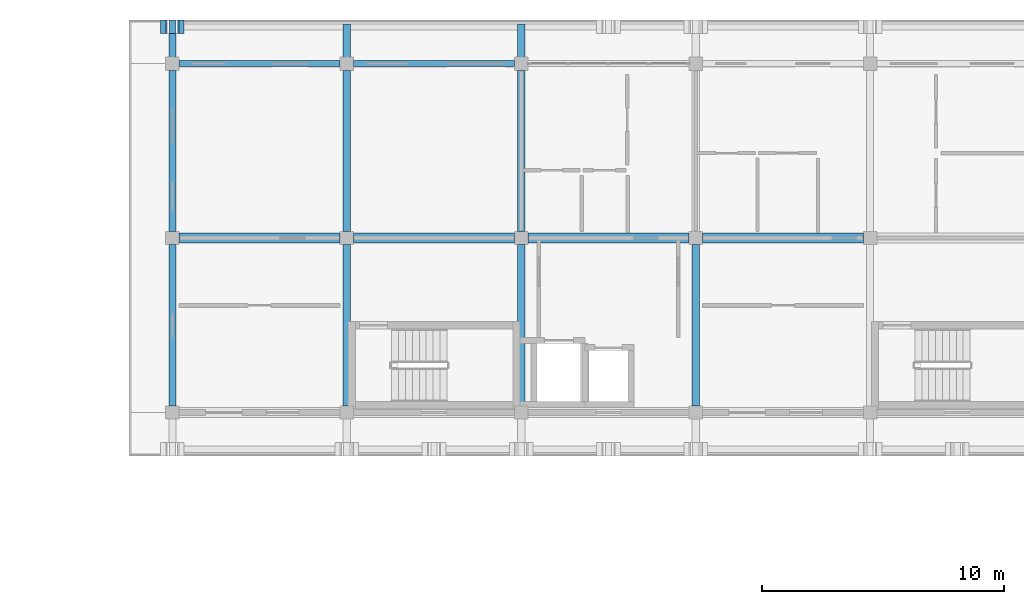
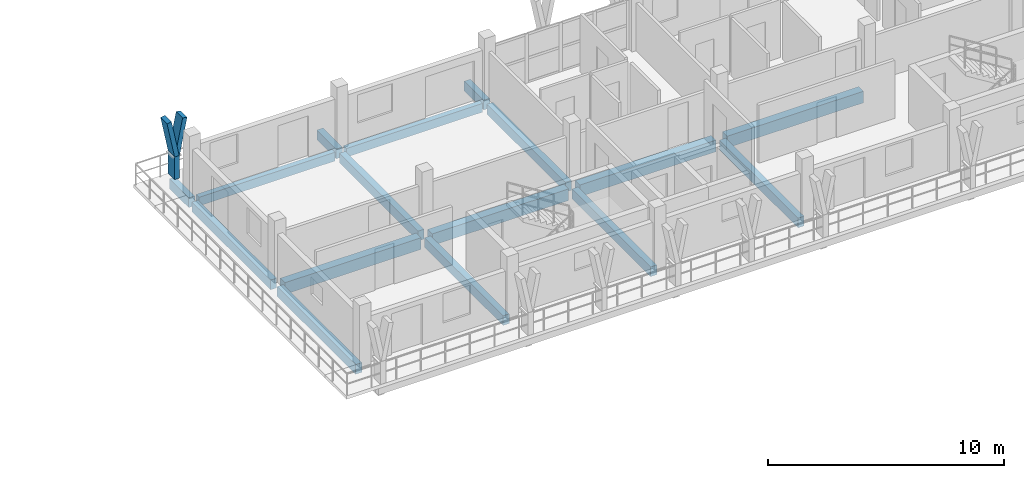
# One storey, part 24 of 67: 16 beams, 3 members.
"""IFC4 building model written with IfcOpenShell, lengths in metres."""

from ifc_helpers import new_model, si_unit, direction, frame, origin, origin_2d, place, context, subcontext, project, spatial, rectangle, extrude, material, material_profile, profile_set, type_object, element, save


model = new_model("IFC4")

# Units and contexts
model_context = context("Model", 3, precision=1e-05, world=origin(), true_north=direction((0.0, 1.0)))
body_context = subcontext(model_context, "Body", "Model", "MODEL_VIEW")
ifc_project = project(units=[si_unit("LENGTHUNIT", "METRE"), si_unit("AREAUNIT", "SQUARE_METRE"), si_unit("VOLUMEUNIT", "CUBIC_METRE"), si_unit("PLANEANGLEUNIT", "RADIAN"), si_unit("MASSUNIT", "GRAM", prefix="KILO")], contexts=[model_context])

# Site, building, storey
site_placement = place(None, origin())
site = spatial("IfcSite", under=ifc_project, at=site_placement, CompositionType="ELEMENT")
building_placement = place(site_placement, origin())
building = spatial("IfcBuilding", under=site, at=building_placement, Name="Suanplinth Sawtooth Commons", CompositionType="ELEMENT")
storey_placement = place(building_placement, frame((0.0, 0.0, 25.10009765625)))
storey = spatial("IfcBuildingStorey", under=building, at=storey_placement, Name="L07", CompositionType="ELEMENT", Elevation=25.10009765625)

# Beams
ifc_material_1 = material(Name="Precast concrete C40/50", Category="concrete")
ifc_material_profile_1 = material_profile(ifc_material_1, rectangle(XDim=0.39990234375, YDim=0.60009765625, at=origin_2d()), Name="PC-GDR 400x600")
ifc_profile_set_1 = profile_set([ifc_material_profile_1], Name="Precast concrete C40/50")
beam_type_1 = type_object("IfcBeamType", Name="B-05", PredefinedType="USERDEFINED", material=ifc_profile_set_1)
beam_1_placement = place(storey_placement, frame((129.875, 115.199951171875, -0.52001953125), z_axis=(1.0, 0.0, 0.0), x_axis=(0.0, 1.0, 0.0)))
element("IfcBeam", 1, at=beam_1_placement, inside=storey, type_object=beam_type_1, Name="BMX-L07-B-18-16", ObjectType="GIRDER", PredefinedType="USERDEFINED", context=body_context, shape_type="SweptSolid", body=[
    extrude(rectangle(XDim=0.39990234375, YDim=0.60009765625, at=origin_2d()), origin(), (0.0, 0.0, 1.0), 6.64990234375),
])
for number, where, z_axis, x_axis, name in (
    (2, (137.074951171875, 115.199951171875, -0.52001953125), (1.0, 0.0, 0.0), (0.0, 1.0, 0.0), "BMX-L07-B-19-16"),
    (3, (144.27490234375, 115.199951171875, -0.52001953125), (1.0, 0.0, 0.0), (0.0, 1.0, 0.0), "BMX-L07-B-20-16"),
):
    element("IfcBeam", number, at=place(storey_placement, frame(where, z_axis=z_axis, x_axis=x_axis)), inside=storey, type_object=beam_type_1, Name=name, ObjectType="GIRDER", PredefinedType="USERDEFINED", context=body_context, shape_type="SweptSolid", body=[
        extrude(rectangle(XDim=0.39990234375, YDim=0.60009765625, at=origin_2d()), origin(), (0.0, 0.0, 1.0), 6.650146484375),
    ])
beam_2_placement = place(storey_placement, frame((151.47509765625, 115.199951171875, -0.52001953125), z_axis=(1.0, 0.0, 0.0), x_axis=(0.0, 1.0, 0.0)))
element("IfcBeam", 4, at=beam_2_placement, inside=storey, type_object=beam_type_1, Name="BMX-L07-B-21-16", ObjectType="GIRDER", PredefinedType="USERDEFINED", context=body_context, shape_type="SweptSolid", body=[
    extrude(rectangle(XDim=0.39990234375, YDim=0.60009765625, at=origin_2d()), origin(), (0.0, 0.0, 1.0), 6.64990234375),
])
ifc_material_profile_2 = material_profile(ifc_material_1, rectangle(XDim=0.300048828125, YDim=0.5, at=origin_2d()), Name="PC-BM 300x500")
ifc_profile_set_2 = profile_set([ifc_material_profile_2], Name="Precast concrete C40/50")
beam_type_2 = type_object("IfcBeamType", Name="B-07", PredefinedType="BEAM", material=ifc_profile_set_2)
beam_3_placement = place(storey_placement, frame((129.60009765625, 108.27490234375, -0.47021484375), z_axis=(0.0, 1.0, 0.0), x_axis=(-1.0, 0.0, 0.0)))
element("IfcBeam", 5, at=beam_3_placement, inside=storey, type_object=beam_type_2, Name="BMY-L07-B-18-15", PredefinedType="BEAM", context=body_context, shape_type="SweptSolid", body=[
    extrude(rectangle(XDim=0.300048828125, YDim=0.5, at=origin_2d()), origin(), (0.0, 0.0, 1.0), 6.650146484375),
])
beam_4_placement = place(storey_placement, frame((129.60009765625, 115.47509765625, -0.47021484375), z_axis=(0.0, 1.0, 0.0), x_axis=(-1.0, 0.0, 0.0)))
element("IfcBeam", 6, at=beam_4_placement, inside=storey, type_object=beam_type_2, Name="BMY-L07-B-18-16", PredefinedType="BEAM", context=body_context, shape_type="SweptSolid", body=[
    extrude(rectangle(XDim=0.300048828125, YDim=0.5, at=origin_2d()), origin(), (0.0, 0.0, 1.0), 6.64990234375),
])
beam_5_placement = place(storey_placement, frame((136.800048828125, 108.27490234375, -0.47021484375), z_axis=(0.0, 1.0, 0.0), x_axis=(-1.0, 0.0, 0.0)))
element("IfcBeam", 7, at=beam_5_placement, inside=storey, type_object=beam_type_2, Name="BMY-L07-B-19-15", PredefinedType="BEAM", context=body_context, shape_type="SweptSolid", body=[
    extrude(rectangle(XDim=0.300048828125, YDim=0.5, at=origin_2d()), origin(), (0.0, 0.0, 1.0), 6.650146484375),
])
beam_6_placement = place(storey_placement, frame((136.800048828125, 115.47509765625, -0.47021484375), z_axis=(0.0, 1.0, 0.0), x_axis=(-1.0, 0.0, 0.0)))
element("IfcBeam", 8, at=beam_6_placement, inside=storey, type_object=beam_type_2, Name="BMY-L07-B-19-16", PredefinedType="BEAM", context=body_context, shape_type="SweptSolid", body=[
    extrude(rectangle(XDim=0.300048828125, YDim=0.5, at=origin_2d()), origin(), (0.0, 0.0, 1.0), 6.64990234375),
])
beam_7_placement = place(storey_placement, frame((144.0, 108.27490234375, -0.47021484375), z_axis=(0.0, 1.0, 0.0), x_axis=(-1.0, 0.0, 0.0)))
element("IfcBeam", 9, at=beam_7_placement, inside=storey, type_object=beam_type_2, Name="BMY-L07-B-20-15", PredefinedType="BEAM", context=body_context, shape_type="SweptSolid", body=[
    extrude(rectangle(XDim=0.300048828125, YDim=0.5, at=origin_2d()), origin(), (0.0, 0.0, 1.0), 6.650146484375),
])
beam_8_placement = place(storey_placement, frame((144.0, 115.47509765625, -0.47021484375), z_axis=(0.0, 1.0, 0.0), x_axis=(-1.0, 0.0, 0.0)))
element("IfcBeam", 10, at=beam_8_placement, inside=storey, type_object=beam_type_2, Name="BMY-L07-B-20-16", PredefinedType="BEAM", context=body_context, shape_type="SweptSolid", body=[
    extrude(rectangle(XDim=0.300048828125, YDim=0.5, at=origin_2d()), origin(), (0.0, 0.0, 1.0), 6.64990234375),
])
beam_9_placement = place(storey_placement, frame((151.199951171875, 108.27490234375, -0.47021484375), z_axis=(0.0, 1.0, 0.0), x_axis=(-1.0, 0.0, 0.0)))
element("IfcBeam", 11, at=beam_9_placement, inside=storey, type_object=beam_type_2, Name="BMY-L07-B-21-15", PredefinedType="BEAM", context=body_context, shape_type="SweptSolid", body=[
    extrude(rectangle(XDim=0.300048828125, YDim=0.5, at=origin_2d()), origin(), (0.0, 0.0, 1.0), 6.650146484375),
])
for number, where, z_axis, x_axis, name in (
    (12, (129.60009765625, 122.39990234375, -0.43017578125), (0.0, 1.0, 0.0), (-1.0, 0.0, 0.0), "Balcony Outrigger L07-B-N-18"),
    (13, (136.800048828125, 122.39990234375, -0.43017578125), (0.0, 1.0, 0.0), (-1.0, 0.0, 0.0), "Balcony Outrigger L07-B-N-19"),
    (14, (144.0, 122.39990234375, -0.43017578125), (0.0, 1.0, 0.0), (-1.0, 0.0, 0.0), "Balcony Outrigger L07-B-N-20"),
):
    element("IfcBeam", number, at=place(storey_placement, frame(where, z_axis=z_axis, x_axis=x_axis)), inside=storey, type_object=beam_type_2, Name=name, PredefinedType="BEAM", context=body_context, shape_type="SweptSolid", body=[
        extrude(rectangle(XDim=0.300048828125, YDim=0.5, at=origin_2d()), origin(), (0.0, 0.0, 1.0), 1.64013671875),
    ])
ifc_material_profile_3 = material_profile(ifc_material_1, rectangle(XDim=0.25, YDim=0.449951171875, at=origin_2d()), Name="PC-SP 250x450")
ifc_profile_set_3 = profile_set([ifc_material_profile_3], Name="Precast concrete C40/50")
beam_type_3 = type_object("IfcBeamType", Name="B-09", PredefinedType="SPANDREL", material=ifc_profile_set_3)
beam_10_placement = place(storey_placement, frame((129.875, 122.39990234375, -0.445068359375), z_axis=(1.0, 0.0, 0.0), x_axis=(0.0, 1.0, 0.0)))
element("IfcBeam", 15, at=beam_10_placement, inside=storey, type_object=beam_type_3, Name="BMX-L07-B-18-17", PredefinedType="SPANDREL", context=body_context, shape_type="SweptSolid", body=[
    extrude(rectangle(XDim=0.25, YDim=0.449951171875, at=origin_2d()), origin(), (0.0, 0.0, 1.0), 6.64990234375),
])
beam_11_placement = place(storey_placement, frame((137.074951171875, 122.39990234375, -0.445068359375), z_axis=(1.0, 0.0, 0.0), x_axis=(0.0, 1.0, 0.0)))
element("IfcBeam", 16, at=beam_11_placement, inside=storey, type_object=beam_type_3, Name="BMX-L07-B-19-17", PredefinedType="SPANDREL", context=body_context, shape_type="SweptSolid", body=[
    extrude(rectangle(XDim=0.25, YDim=0.449951171875, at=origin_2d()), origin(), (0.0, 0.0, 1.0), 6.650146484375),
])

# Members
ifc_material_2 = material(Name="Pigmented precast concrete C40/50", Category="concrete")
ifc_material_profile_4 = material_profile(ifc_material_2, rectangle(XDim=0.260009765625, YDim=0.550048828125, at=origin_2d()), Name="PC-FIN 260x550")
ifc_profile_set_4 = profile_set([ifc_material_profile_4], Name="Pigmented precast concrete C40/50")
member_type_1 = type_object("IfcMemberType", Name="M-09", PredefinedType="USERDEFINED", material=ifc_profile_set_4)
member_1_placement = place(storey_placement, frame((129.60009765625, 123.919921875, 0.0), z_axis=(0.0, 0.0, 1.0), x_axis=(1.0, 0.0, 0.0)))
element("IfcMember", 17, at=member_1_placement, inside=storey, type_object=member_type_1, Name="Y-Blade Stem L07-B-N-01", ObjectType="SHADING FIN", PredefinedType="USERDEFINED", context=body_context, shape_type="SweptSolid", body=[
    extrude(rectangle(XDim=0.260009765625, YDim=0.550048828125, at=origin_2d()), origin(), (0.0, 0.0, 1.0), 1.169921875),
])
ifc_material_profile_5 = material_profile(ifc_material_2, rectangle(XDim=0.219970703125, YDim=0.550048828125, at=origin_2d()), Name="PC-FIN 220x550")
ifc_profile_set_5 = profile_set([ifc_material_profile_5], Name="Pigmented precast concrete C40/50")
member_type_2 = type_object("IfcMemberType", Name="M-10", PredefinedType="USERDEFINED", material=ifc_profile_set_5)
member_2_placement = place(storey_placement, frame((129.60009765625, 123.919921875, 1.1298828125), z_axis=(-0.196431120402, 0.0, 0.980517626021), x_axis=(0.980517626021, 0.0, 0.196431120402)))
element("IfcMember", 18, at=member_2_placement, inside=storey, type_object=member_type_2, Name="Y-Blade Arm L L07-B-N-01", ObjectType="SHADING FIN", PredefinedType="USERDEFINED", context=body_context, shape_type="SweptSolid", body=[
    extrude(rectangle(XDim=0.219970703125, YDim=0.550048828125, at=origin_2d()), origin(), (0.0, 0.0, 1.0), 1.937744140625),
])
member_3_placement = place(storey_placement, frame((129.60009765625, 123.919921875, 1.1298828125), z_axis=(0.196309979414, 0.0, 0.980541886909), x_axis=(-0.980541886909, 0.0, 0.196309979414)))
element("IfcMember", 19, at=member_3_placement, inside=storey, type_object=member_type_2, Name="Y-Blade Arm R L07-B-N-01", ObjectType="SHADING FIN", PredefinedType="USERDEFINED", context=body_context, shape_type="SweptSolid", body=[
    extrude(rectangle(XDim=0.219970703125, YDim=0.550048828125, at=origin_2d()), origin(), (0.0, 0.0, 1.0), 1.9375),
])

save(model, "model.ifc")
